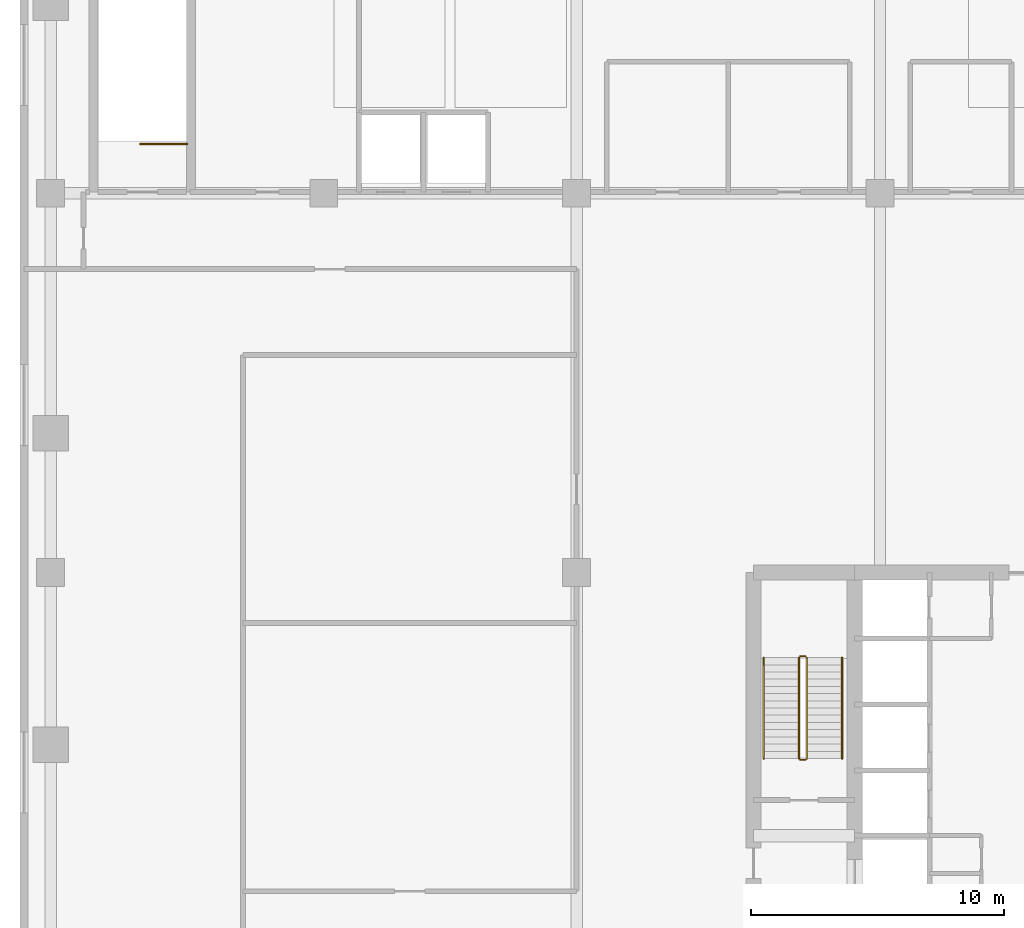
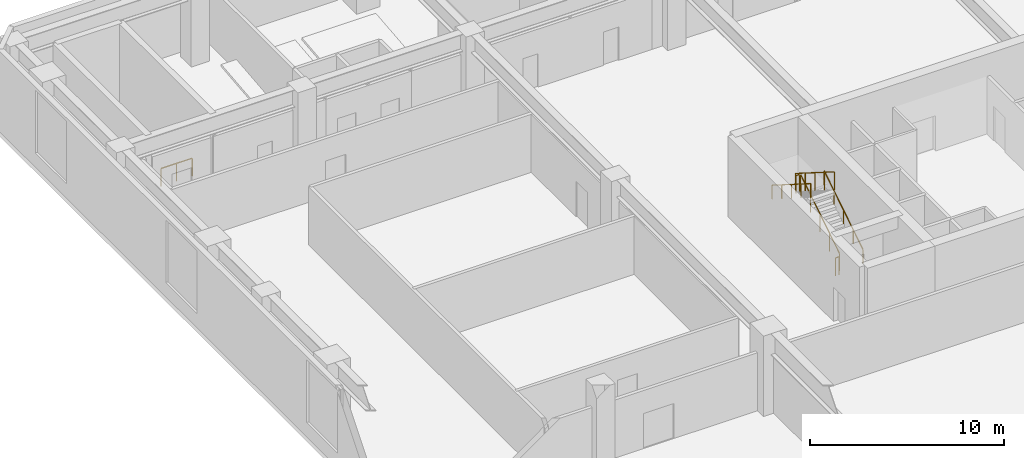
# One storey, part 10 of 12: 7 railings.
"""IFC4 building model written with IfcOpenShell, lengths in metres."""

from ifc_helpers import new_model, si_unit, direction, frame, origin, origin_2d, place, context, subcontext, project, spatial, rectangle, extrude, material, type_object, element, save


model = new_model("IFC4")

# Units and contexts
model_context = context("Model", 3, precision=1e-05, world=origin(), true_north=direction((0.0, 1.0)))
body_context = subcontext(model_context, "Body", "Model", "MODEL_VIEW")
ifc_project = project(units=[si_unit("LENGTHUNIT", "METRE"), si_unit("AREAUNIT", "SQUARE_METRE"), si_unit("VOLUMEUNIT", "CUBIC_METRE"), si_unit("PLANEANGLEUNIT", "RADIAN"), si_unit("MASSUNIT", "GRAM", prefix="KILO")], contexts=[model_context])

# Site, building, storey
site_placement = place(None, origin())
site = spatial("IfcSite", under=ifc_project, at=site_placement, CompositionType="ELEMENT")
building_placement = place(site_placement, origin())
building = spatial("IfcBuilding", under=site, at=building_placement, Name="Sarneth Arch Tower", CompositionType="ELEMENT")
storey_placement = place(building_placement, frame((0.0, 0.0, 16.800048828125)))
storey = spatial("IfcBuildingStorey", under=building, at=storey_placement, Name="L03", CompositionType="ELEMENT", Elevation=16.800048828125)

# Railings
ifc_material_1 = material(Name="Brushed Stainless Steel 304 tubular handrail", Category="steel")
railing_type_1 = type_object("IfcRailingType", Name="RAIL-HANDRAIL-900", PredefinedType="HANDRAIL", material=ifc_material_1)
railing_1_placement = place(storey_placement, frame((40.5, 41.449951171875, 0.179931640625)))
element("IfcRailing", 1, at=railing_1_placement, inside=storey, type_object=railing_type_1, Name="L03 ST-1 stair handrail 1", PredefinedType="HANDRAIL", context=body_context, shape_type="SweptSolid", body=[
    extrude(rectangle(XDim=0.048095703125, YDim=0.048095703125, at=origin_2d()), frame((0.0, 0.0, 0.8759765625), z_axis=(0.0, 0.845486444383, 0.533996884227), x_axis=(-1.0, 0.0, 0.0)), (0.0, 0.0, 1.0), 4.71923828125),
    extrude(rectangle(XDim=0.0419921875, YDim=0.0419921875, at=origin_2d()), origin(), (0.0, 0.0, 1.0), 0.851806640625),
    extrude(rectangle(XDim=0.0419921875, YDim=0.0419921875, at=origin_2d()), frame((0.0, 0.99755859375, 0.6298828125)), (0.0, 0.0, 1.0), 0.851806640625),
    extrude(rectangle(XDim=0.0419921875, YDim=0.0419921875, at=origin_2d()), frame((0.0, 1.9951171875, 1.260009765625)), (0.0, 0.0, 1.0), 0.851806640625),
    extrude(rectangle(XDim=0.0419921875, YDim=0.0419921875, at=origin_2d()), frame((0.0, 2.992431640625, 1.89013671875)), (0.0, 0.0, 1.0), 0.851806640625),
    extrude(rectangle(XDim=0.0419921875, YDim=0.0419921875, at=origin_2d()), frame((0.0, 3.989990234375, 2.52001953125)), (0.0, 0.0, 1.0), 0.851806640625),
])
railing_2_placement = place(storey_placement, frame((37.39990234375, 45.43994140625, 2.8798828125)))
element("IfcRailing", 2, at=railing_2_placement, inside=storey, type_object=railing_type_1, Name="L03 ST-1 stair handrail 2", PredefinedType="HANDRAIL", context=body_context, shape_type="SweptSolid", body=[
    extrude(rectangle(XDim=0.048095703125, YDim=0.048095703125, at=origin_2d()), frame((0.0, 0.0, 0.8759765625), z_axis=(0.0, -0.845486444383, 0.533996884227), x_axis=(1.0, 0.0, 0.0)), (0.0, 0.0, 1.0), 4.71923828125),
    extrude(rectangle(XDim=0.0419921875, YDim=0.0419921875, at=origin_2d()), origin(), (0.0, 0.0, 1.0), 0.851806640625),
    extrude(rectangle(XDim=0.0419921875, YDim=0.0419921875, at=origin_2d()), frame((0.0, -0.99755859375, 0.6298828125)), (0.0, 0.0, 1.0), 0.851806640625),
    extrude(rectangle(XDim=0.0419921875, YDim=0.0419921875, at=origin_2d()), frame((0.0, -1.9951171875, 1.260009765625)), (0.0, 0.0, 1.0), 0.851806640625),
    extrude(rectangle(XDim=0.0419921875, YDim=0.0419921875, at=origin_2d()), frame((0.0, -2.992431640625, 1.89013671875)), (0.0, 0.0, 1.0), 0.851806640625),
    extrude(rectangle(XDim=0.0419921875, YDim=0.0419921875, at=origin_2d()), frame((0.0, -3.989990234375, 2.52001953125)), (0.0, 0.0, 1.0), 0.851806640625),
])
ifc_material_2 = material(Name="Painted Steel S275 stair well guard", Category="steel")
railing_type_2 = type_object("IfcRailingType", Name="RAIL-STAIR-GUARD", PredefinedType="GUARDRAIL", material=ifc_material_2)
railing_3_placement = place(storey_placement, frame((39.10009765625, 41.449951171875, 0.179931640625)))
element("IfcRailing", 3, at=railing_3_placement, inside=storey, type_object=railing_type_2, Name="L03 ST-1 stair guard 1", PredefinedType="GUARDRAIL", context=body_context, shape_type="SweptSolid", body=[
    extrude(rectangle(XDim=0.048095703125, YDim=0.048095703125, at=origin_2d()), frame((0.0, 0.0, 1.1259765625), z_axis=(0.0, 0.845486444383, 0.533996884227), x_axis=(-1.0, 0.0, 0.0)), (0.0, 0.0, 1.0), 4.71923828125),
    extrude(rectangle(XDim=0.0419921875, YDim=0.0419921875, at=origin_2d()), origin(), (0.0, 0.0, 1.0), 1.101806640625),
    extrude(rectangle(XDim=0.0419921875, YDim=0.0419921875, at=origin_2d()), frame((0.0, 0.99755859375, 0.6298828125)), (0.0, 0.0, 1.0), 1.101806640625),
    extrude(rectangle(XDim=0.0419921875, YDim=0.0419921875, at=origin_2d()), frame((0.0, 1.9951171875, 1.260009765625)), (0.0, 0.0, 1.0), 1.101806640625),
    extrude(rectangle(XDim=0.0419921875, YDim=0.0419921875, at=origin_2d()), frame((0.0, 2.992431640625, 1.89013671875)), (0.0, 0.0, 1.0), 1.101806640625),
    extrude(rectangle(XDim=0.0419921875, YDim=0.0419921875, at=origin_2d()), frame((0.0, 3.989990234375, 2.52001953125)), (0.0, 0.0, 1.0), 1.101806640625),
])
railing_4_placement = place(storey_placement, frame((39.050048828125, 45.489990234375, 2.699951171875)))
element("IfcRailing", 4, at=railing_4_placement, inside=storey, type_object=railing_type_2, Name="L03 ST-1 stair guard 2", PredefinedType="GUARDRAIL", context=body_context, shape_type="SweptSolid", body=[
    extrude(rectangle(XDim=0.048095703125, YDim=0.048095703125, at=origin_2d()), frame((0.0, 0.0, 1.1259765625), z_axis=(-1.0, 0.0, 0.0), x_axis=(0.0, -1.0, 0.0)), (0.0, 0.0, 1.0), 0.199951171875),
    extrude(rectangle(XDim=0.0419921875, YDim=0.0419921875, at=origin_2d()), origin(), (0.0, 0.0, 1.0), 1.101806640625),
    extrude(rectangle(XDim=0.0419921875, YDim=0.0419921875, at=origin_2d()), frame((-0.199951171875, 0.0, 0.0)), (0.0, 0.0, 1.0), 1.101806640625),
])
railing_5_placement = place(storey_placement, frame((38.800048828125, 45.43994140625, 2.8798828125)))
element("IfcRailing", 5, at=railing_5_placement, inside=storey, type_object=railing_type_2, Name="L03 ST-1 stair guard 3", PredefinedType="GUARDRAIL", context=body_context, shape_type="SweptSolid", body=[
    extrude(rectangle(XDim=0.048095703125, YDim=0.048095703125, at=origin_2d()), frame((0.0, 0.0, 1.1259765625), z_axis=(0.0, -0.845486444383, 0.533996884227), x_axis=(1.0, 0.0, 0.0)), (0.0, 0.0, 1.0), 4.71923828125),
    extrude(rectangle(XDim=0.0419921875, YDim=0.0419921875, at=origin_2d()), origin(), (0.0, 0.0, 1.0), 1.101806640625),
    extrude(rectangle(XDim=0.0419921875, YDim=0.0419921875, at=origin_2d()), frame((0.0, -0.99755859375, 0.6298828125)), (0.0, 0.0, 1.0), 1.101806640625),
    extrude(rectangle(XDim=0.0419921875, YDim=0.0419921875, at=origin_2d()), frame((0.0, -1.9951171875, 1.260009765625)), (0.0, 0.0, 1.0), 1.101806640625),
    extrude(rectangle(XDim=0.0419921875, YDim=0.0419921875, at=origin_2d()), frame((0.0, -2.992431640625, 1.89013671875)), (0.0, 0.0, 1.0), 1.101806640625),
    extrude(rectangle(XDim=0.0419921875, YDim=0.0419921875, at=origin_2d()), frame((0.0, -3.989990234375, 2.52001953125)), (0.0, 0.0, 1.0), 1.101806640625),
])
railing_6_placement = place(storey_placement, frame((39.050048828125, 41.39990234375, 0.0)))
element("IfcRailing", 6, at=railing_6_placement, inside=storey, type_object=railing_type_2, Name="L03 ST-1 stair guard 4", PredefinedType="GUARDRAIL", context=body_context, shape_type="SweptSolid", body=[
    extrude(rectangle(XDim=0.048095703125, YDim=0.048095703125, at=origin_2d()), frame((0.0, 0.0, 1.1259765625), z_axis=(-1.0, 0.0, 0.0), x_axis=(0.0, -1.0, 0.0)), (0.0, 0.0, 1.0), 0.199951171875),
    extrude(rectangle(XDim=0.0419921875, YDim=0.0419921875, at=origin_2d()), origin(), (0.0, 0.0, 1.0), 1.101806640625),
    extrude(rectangle(XDim=0.0419921875, YDim=0.0419921875, at=origin_2d()), frame((-0.199951171875, 0.0, 0.0)), (0.0, 0.0, 1.0), 1.101806640625),
])
railing_7_placement = place(storey_placement, frame((14.60009765625, 65.75, 0.0)))
element("IfcRailing", 7, at=railing_7_placement, inside=storey, type_object=railing_type_2, Name="L03 ST-P1 top well guard 1", PredefinedType="GUARDRAIL", context=body_context, shape_type="SweptSolid", body=[
    extrude(rectangle(XDim=0.048095703125, YDim=0.048095703125, at=origin_2d()), frame((0.0, 0.0, 1.1259765625), z_axis=(-1.0, 0.0, 0.0), x_axis=(0.0, -1.0, 0.0)), (0.0, 0.0, 1.0), 1.85009765625),
    extrude(rectangle(XDim=0.0419921875, YDim=0.0419921875, at=origin_2d()), origin(), (0.0, 0.0, 1.0), 1.101806640625),
    extrude(rectangle(XDim=0.0419921875, YDim=0.0419921875, at=origin_2d()), frame((-0.925048828125, 0.0, 0.0)), (0.0, 0.0, 1.0), 1.101806640625),
    extrude(rectangle(XDim=0.0419921875, YDim=0.0419921875, at=origin_2d()), frame((-1.85009765625, 0.0, 0.0)), (0.0, 0.0, 1.0), 1.101806640625),
])

save(model, "model.ifc")
